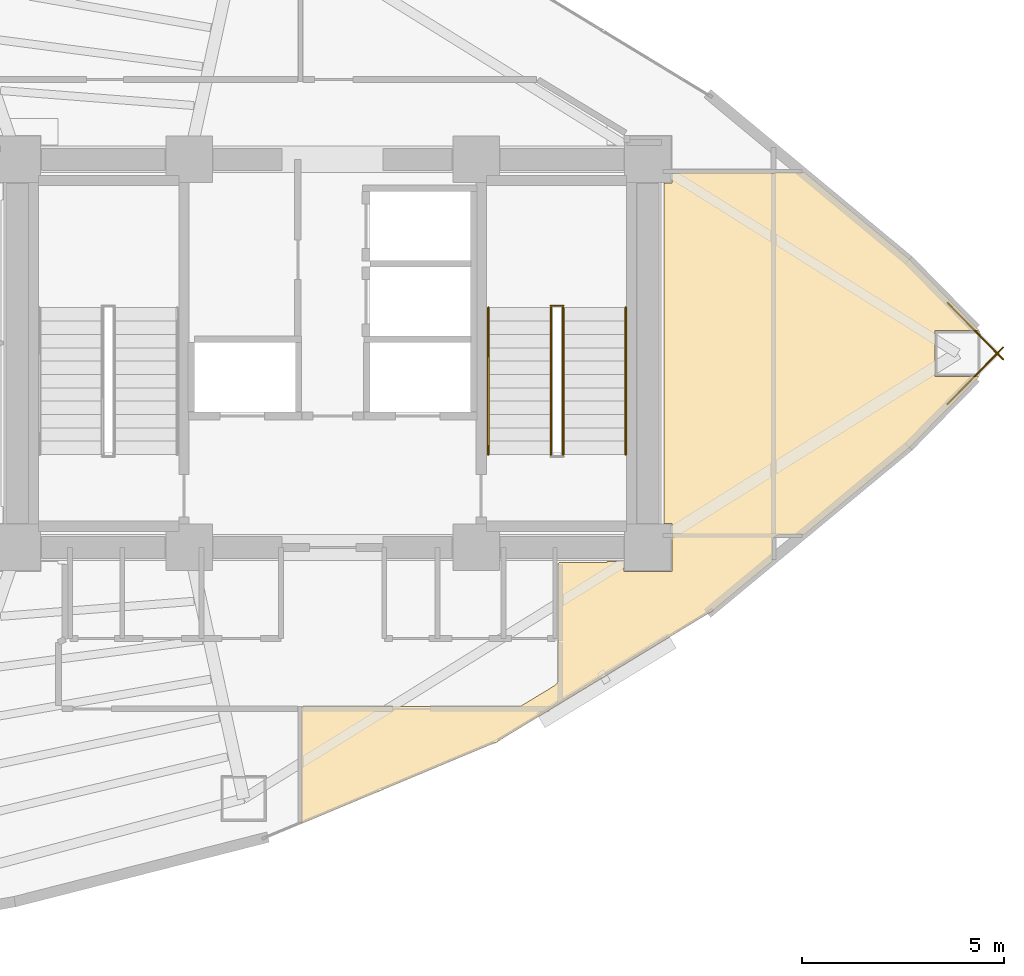
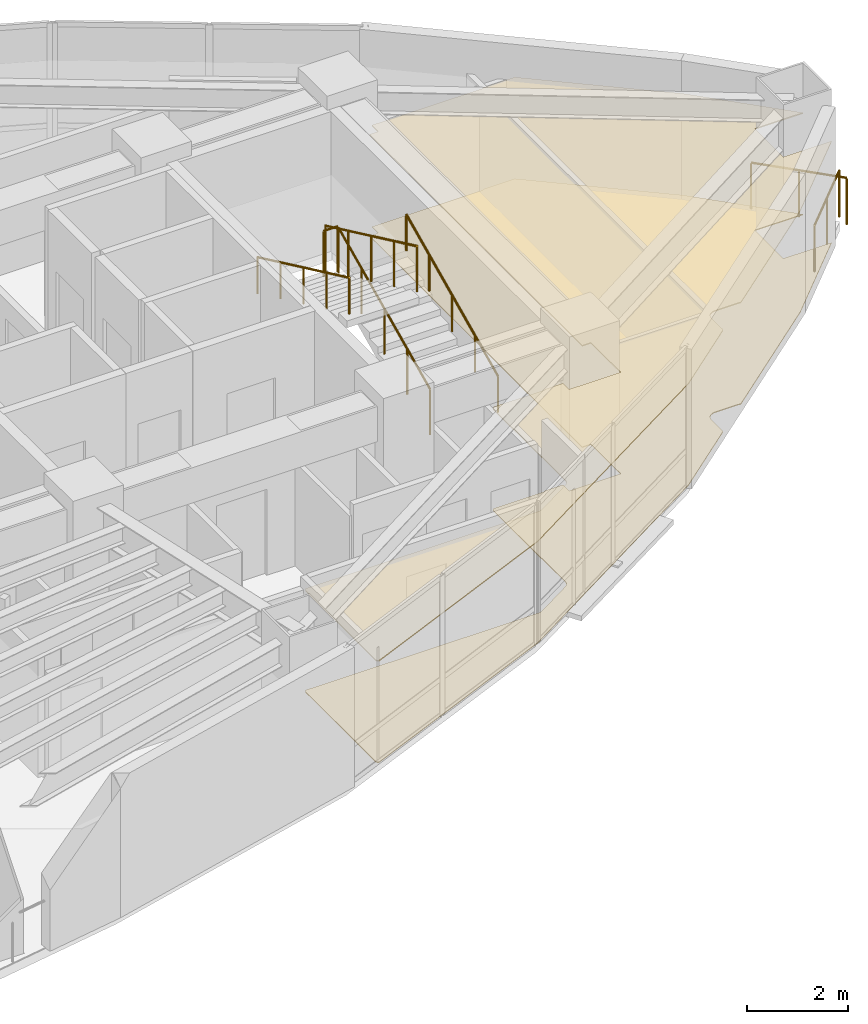
# One storey, part 14 of 15: 7 railings, 2 coverings.
"""IFC4 building model written with IfcOpenShell, lengths in metres."""

from ifc_helpers import new_model, si_unit, direction, frame, origin, origin_2d, place, context, subcontext, project, spatial, polyline, circle, outline, extrude, material, layer, layer_set, type_object, element, save


model = new_model("IFC4")

# Units and contexts
model_context = context("Model", 3, precision=1e-05, world=origin(), true_north=direction((0.0, 1.0)))
body_context = subcontext(model_context, "Body", "Model", "MODEL_VIEW")
ifc_project = project(units=[si_unit("LENGTHUNIT", "METRE"), si_unit("AREAUNIT", "SQUARE_METRE"), si_unit("VOLUMEUNIT", "CUBIC_METRE"), si_unit("PLANEANGLEUNIT", "RADIAN"), si_unit("MASSUNIT", "GRAM", prefix="KILO")], contexts=[model_context])

# Site, building, storey
site_placement = place(None, origin())
site = spatial("IfcSite", under=ifc_project, at=site_placement, CompositionType="ELEMENT")
building_placement = place(site_placement, origin())
building = spatial("IfcBuilding", under=site, at=building_placement, Name="Menara Vayukalpa", CompositionType="ELEMENT")
storey_placement = place(building_placement, frame((0.0, 0.0, 144.89990234375)))
storey = spatial("IfcBuildingStorey", under=building, at=storey_placement, Name="L36", CompositionType="ELEMENT", Elevation=144.89990234375)

# Coverings
ifc_material_1 = material(Name="Mineral Fibre Acoustic Ceiling Tile", Category="masonry")
ifc_layer_1 = layer(ifc_material_1, 0.02490234375)
ifc_layer_set_1 = layer_set([ifc_layer_1], Name="Mineral Fibre Acoustic Ceiling Tile")
covering_type_1 = type_object("IfcCoveringType", Name="COV-CLG1", PredefinedType="CEILING", material=ifc_layer_set_1)
covering_1_placement = place(storey_placement, frame((0.0, 0.0, 2.4501953125)))
element("IfcCovering", 1, at=covering_1_placement, inside=storey, type_object=covering_type_1, Name="L36 Departmental Archive Room Acoustic Ceiling", PredefinedType="CEILING", context=body_context, shape_type="SweptSolid", body=[
    extrude(outline(polyline([(33.7900390625, 26.2099609375), (33.989990234375, 26.2099609375), (33.989990234375, 26.4599609375), (36.425048828125, 26.4599609375), (36.425537109375, 26.4599609375), (36.432373046875, 26.459716796875), (36.43359375, 26.459716796875), (36.439453125, 26.45849609375), (36.458251953125, 26.456787109375), (36.476806640625, 26.456787109375), (36.495361328125, 26.45849609375), (36.513671875, 26.46240234375), (36.531494140625, 26.467529296875), (36.549072265625, 26.474853515625), (36.550537109375, 26.4755859375), (36.55126953125, 26.47607421875), (36.5537109375, 26.476806640625), (36.554443359375, 26.47705078125), (36.55517578125, 26.477294921875), (36.563232421875, 26.47900390625), (36.564208984375, 26.479248046875), (36.5712890625, 26.47998046875), (36.572021484375, 26.47998046875), (36.576904296875, 26.47998046875), (36.5771484375, 26.47998046875), (37.184326171875, 26.47998046875), (37.194580078125, 26.480224609375), (37.197998046875, 26.48046875), (37.218017578125, 26.482421875), (37.220947265625, 26.48291015625), (37.22119140625, 26.483154296875), (37.222900390625, 26.4833984375), (37.222900390625, 26.4833984375), (37.239013671875, 26.486083984375), (37.240478515625, 26.486083984375), (37.244384765625, 26.486083984375), (37.2451171875, 26.486083984375), (37.247314453125, 26.486083984375), (37.248046875, 26.486083984375), (37.248779296875, 26.48583984375), (37.2578125, 26.48388671875), (37.259033203125, 26.483642578125), (37.259521484375, 26.4833984375), (37.26025390625, 26.483154296875), (37.26318359375, 26.48193359375), (37.263916015625, 26.481689453125), (37.264404296875, 26.4814453125), (37.265380859375, 26.48095703125), (37.27685546875, 26.473388671875), (37.278076171875, 26.47265625), (37.280517578125, 26.470703125), (39.86328125, 24.328857421875), (39.86328125, 24.32861328125), (39.86767578125, 24.324951171875), (39.867919921875, 24.32470703125), (39.873046875, 24.31982421875), (39.873291015625, 24.31982421875), (39.8779296875, 24.315185546875), (39.878173828125, 24.31494140625), (41.596435546875, 22.56494140625), (40.494140625, 22.56494140625), (40.494140625, 21.43505859375), (41.596435546875, 21.43505859375), (39.878173828125, 19.68505859375), (39.8779296875, 19.684814453125), (39.873291015625, 19.68017578125), (39.873046875, 19.68017578125), (39.867919921875, 19.67529296875), (39.86767578125, 19.675048828125), (39.86328125, 19.67138671875), (39.86328125, 19.671142578125), (37.280517578125, 17.529296875), (37.277587890625, 17.527099609375), (37.276611328125, 17.5263671875), (37.26611328125, 17.51953125), (37.264892578125, 17.518798828125), (37.262939453125, 17.517822265625), (37.2626953125, 17.517578125), (37.260986328125, 17.51708984375), (37.26025390625, 17.5166015625), (37.25927734375, 17.516357421875), (37.25830078125, 17.51611328125), (37.24951171875, 17.51416015625), (37.248779296875, 17.51416015625), (37.248046875, 17.513916015625), (37.244384765625, 17.513916015625), (37.243896484375, 17.513916015625), (37.2412109375, 17.513916015625), (37.240478515625, 17.513916015625), (37.239501953125, 17.513916015625), (37.224365234375, 17.516357421875), (37.22412109375, 17.516357421875), (37.220947265625, 17.51708984375), (37.218017578125, 17.517578125), (37.197998046875, 17.51953125), (37.194580078125, 17.519775390625), (37.184326171875, 17.52001953125), (36.67041015625, 17.52001953125), (36.6513671875, 17.51904296875), (36.6328125, 17.516357421875), (36.61474609375, 17.51171875), (36.597412109375, 17.505615234375), (36.580322265625, 17.49755859375), (36.564453125, 17.488037109375), (36.549560546875, 17.476806640625), (36.53564453125, 17.46435546875), (36.523193359375, 17.450439453125), (36.511962890625, 17.435546875), (36.50244140625, 17.419677734375), (36.494384765625, 17.402587890625), (36.48828125, 17.38525390625), (36.483642578125, 17.3671875), (36.48095703125, 17.3486328125), (36.47998046875, 17.32958984375), (36.47998046875, 16.9267578125), (36.480224609375, 16.918212890625), (36.48046875, 16.910400390625), (36.481201171875, 16.90087890625), (36.481201171875, 16.8994140625), (36.4814453125, 16.898681640625), (36.481689453125, 16.89208984375), (36.481689453125, 16.89111328125), (36.4814453125, 16.887939453125), (36.4814453125, 16.88671875), (36.47998046875, 16.878173828125), (36.479736328125, 16.877197265625), (36.4794921875, 16.876220703125), (36.477294921875, 16.870361328125), (36.476806640625, 16.869384765625), (36.476318359375, 16.86865234375), (36.475830078125, 16.86767578125), (36.47119140625, 16.860595703125), (36.470703125, 16.85986328125), (36.469970703125, 16.859130859375), (36.462890625, 16.851806640625), (36.46240234375, 16.851318359375), (36.458251953125, 16.84765625), (36.4580078125, 16.847412109375), (34.983642578125, 15.62451171875), (34.9833984375, 15.624267578125), (34.976318359375, 15.618896484375), (34.97607421875, 15.61865234375), (34.967529296875, 15.61279296875), (34.96728515625, 15.61279296875), (34.9599609375, 15.60791015625), (34.959716796875, 15.607666015625), (29.658203125, 12.386962890625), (29.65771484375, 12.38671875), (29.654541015625, 12.385009765625), (29.654296875, 12.384765625), (29.646484375, 12.380615234375), (29.64599609375, 12.380615234375), (29.641845703125, 12.378662109375), (29.6416015625, 12.37841796875), (24.896484375, 10.3935546875), (24.896240234375, 10.3935546875), (24.889892578125, 10.39111328125), (24.88916015625, 10.390869140625), (24.884033203125, 10.389404296875), (24.88330078125, 10.38916015625), (24.87841796875, 10.387939453125), (24.87744140625, 10.387939453125), (24.873291015625, 10.387451171875), (24.872314453125, 10.38720703125), (24.867919921875, 10.38720703125), (24.86669921875, 10.387451171875), (24.86328125, 10.3876953125), (24.8623046875, 10.387939453125), (24.85791015625, 10.388916015625), (24.857177734375, 10.388916015625), (24.856201171875, 10.389404296875), (24.8466796875, 10.393310546875), (24.845703125, 10.393798828125), (24.84423828125, 10.39453125), (24.843505859375, 10.39501953125), (24.843017578125, 10.3955078125), (24.837646484375, 10.3994140625), (24.836669921875, 10.400146484375), (24.835205078125, 10.401611328125), (24.834716796875, 10.40234375), (24.82861328125, 10.409912109375), (24.827880859375, 10.41064453125), (24.827392578125, 10.41162109375), (24.825439453125, 10.415283203125), (24.824951171875, 10.416015625), (24.823486328125, 10.419921875), (24.822998046875, 10.4208984375), (24.82275390625, 10.421875), (24.82275390625, 10.42236328125), (24.821044921875, 10.429931640625), (24.82080078125, 10.43115234375), (24.820068359375, 10.43798828125), (24.820068359375, 10.43896484375), (24.820068359375, 10.443603515625), (24.820068359375, 10.44384765625), (24.820068359375, 13.202880859375), (24.820068359375, 13.203125), (24.820068359375, 13.2080078125), (24.820068359375, 13.208740234375), (24.82080078125, 13.216064453125), (24.821044921875, 13.217041015625), (24.822509765625, 13.22412109375), (24.822998046875, 13.22509765625), (24.82421875, 13.22900390625), (24.824462890625, 13.229736328125), (24.82568359375, 13.232666015625), (24.826416015625, 13.23388671875), (24.830078125, 13.239501953125), (24.830810546875, 13.240234375), (24.831298828125, 13.240966796875), (24.8388671875, 13.248291015625), (24.839599609375, 13.2490234375), (24.84033203125, 13.24951171875), (24.845458984375, 13.253173828125), (24.84619140625, 13.25341796875), (24.8466796875, 13.25390625), (24.850830078125, 13.255615234375), (24.8515625, 13.256103515625), (24.853515625, 13.2568359375), (24.8544921875, 13.257080078125), (24.85498046875, 13.25732421875), (24.86328125, 13.259033203125), (24.8642578125, 13.25927734375), (24.871337890625, 13.260009765625), (24.8720703125, 13.260009765625), (24.876953125, 13.260009765625), (24.877197265625, 13.260009765625), (30.17529296875, 13.260009765625), (30.192626953125, 13.2607421875), (30.209716796875, 13.26318359375), (30.2265625, 13.26708984375), (30.242919921875, 13.2724609375), (30.2587890625, 13.279296875), (30.274169921875, 13.287841796875), (31.08837890625, 13.7822265625), (31.104736328125, 13.79345703125), (31.11962890625, 13.805908203125), (31.13330078125, 13.81982421875), (31.145263671875, 13.835205078125), (31.155517578125, 13.8515625), (31.164306640625, 13.869140625), (31.171142578125, 13.88720703125), (31.176025390625, 13.90625), (31.178955078125, 13.92529296875), (31.179931640625, 13.945068359375), (31.179931640625, 14.818603515625), (31.1796875, 14.82666015625), (31.1796875, 14.82861328125), (31.178466796875, 14.844482421875), (31.17578125, 14.8603515625), (31.175537109375, 14.861572265625), (31.175537109375, 14.861572265625), (31.17333984375, 14.870849609375), (31.1728515625, 14.873046875), (31.172607421875, 14.873291015625), (31.171142578125, 14.88037109375), (31.171142578125, 14.88134765625), (31.170166015625, 14.89013671875), (31.170166015625, 14.89111328125), (31.169921875, 14.8955078125), (31.169921875, 14.895751953125), (31.169921875, 16.77294921875), (31.169921875, 16.773193359375), (31.170166015625, 16.77783203125), (31.170166015625, 16.77880859375), (31.1708984375, 16.785888671875), (31.1708984375, 16.787109375), (31.172607421875, 16.7939453125), (31.1728515625, 16.795166015625), (31.17431640625, 16.798828125), (31.174560546875, 16.7998046875), (31.17578125, 16.802490234375), (31.176513671875, 16.803955078125), (31.18017578125, 16.809326171875), (31.1806640625, 16.810302734375), (31.181396484375, 16.81103515625), (31.188720703125, 16.818359375), (31.189453125, 16.819091796875), (31.190185546875, 16.819580078125), (31.195556640625, 16.822998046875), (31.196044921875, 16.823486328125), (31.19677734375, 16.82373046875), (31.20068359375, 16.82568359375), (31.201416015625, 16.825927734375), (31.20361328125, 16.826904296875), (31.204345703125, 16.8271484375), (31.205078125, 16.827392578125), (31.213134765625, 16.8291015625), (31.21435546875, 16.8291015625), (31.22119140625, 16.829833984375), (31.22216796875, 16.829833984375), (31.226806640625, 16.830078125), (31.22705078125, 16.830078125), (32.389892578125, 16.830078125), (32.389892578125, 16.85009765625), (32.81005859375, 16.85009765625), (32.81005859375, 16.610107421875), (33.989990234375, 16.610107421875), (33.989990234375, 17.7900390625), (33.7900390625, 17.7900390625), (33.7900390625, 26.2099609375)])), origin(), (0.0, 0.0, 1.0), 0.02490234375),
])
ifc_material_2 = material(Name="Porcelain Stoneware Floor Tile", Category="masonry")
ifc_layer_2 = layer(ifc_material_2, 0.02001953125)
ifc_layer_set_2 = layer_set([ifc_layer_2], Name="Porcelain Stoneware Floor Tile")
covering_type_2 = type_object("IfcCoveringType", Name="COV-FLR1", PredefinedType="FLOORING", material=ifc_layer_set_2)
covering_2_placement = place(storey_placement, origin())
element("IfcCovering", 2, at=covering_2_placement, inside=storey, type_object=covering_type_2, Name="L36 Departmental Archive Room Porcelain Flooring", PredefinedType="FLOORING", context=body_context, shape_type="SweptSolid", body=[
    extrude(outline(polyline([(33.7900390625, 26.2099609375), (33.989990234375, 26.2099609375), (33.989990234375, 26.4599609375), (36.425048828125, 26.4599609375), (36.425537109375, 26.4599609375), (36.432373046875, 26.459716796875), (36.43359375, 26.459716796875), (36.439453125, 26.45849609375), (36.458251953125, 26.456787109375), (36.476806640625, 26.456787109375), (36.495361328125, 26.45849609375), (36.513671875, 26.46240234375), (36.531494140625, 26.467529296875), (36.549072265625, 26.474853515625), (36.550537109375, 26.4755859375), (36.55126953125, 26.47607421875), (36.5537109375, 26.476806640625), (36.554443359375, 26.47705078125), (36.55517578125, 26.477294921875), (36.563232421875, 26.47900390625), (36.564208984375, 26.479248046875), (36.5712890625, 26.47998046875), (36.572021484375, 26.47998046875), (36.576904296875, 26.47998046875), (36.5771484375, 26.47998046875), (37.184326171875, 26.47998046875), (37.194580078125, 26.480224609375), (37.197998046875, 26.48046875), (37.218017578125, 26.482421875), (37.220947265625, 26.48291015625), (37.22119140625, 26.483154296875), (37.222900390625, 26.4833984375), (37.222900390625, 26.4833984375), (37.239013671875, 26.486083984375), (37.240478515625, 26.486083984375), (37.244384765625, 26.486083984375), (37.2451171875, 26.486083984375), (37.247314453125, 26.486083984375), (37.248046875, 26.486083984375), (37.248779296875, 26.48583984375), (37.2578125, 26.48388671875), (37.259033203125, 26.483642578125), (37.259521484375, 26.4833984375), (37.26025390625, 26.483154296875), (37.26318359375, 26.48193359375), (37.263916015625, 26.481689453125), (37.264404296875, 26.4814453125), (37.265380859375, 26.48095703125), (37.27685546875, 26.473388671875), (37.278076171875, 26.47265625), (37.280517578125, 26.470703125), (39.86328125, 24.328857421875), (39.86328125, 24.32861328125), (39.86767578125, 24.324951171875), (39.867919921875, 24.32470703125), (39.873046875, 24.31982421875), (39.873291015625, 24.31982421875), (39.8779296875, 24.315185546875), (39.878173828125, 24.31494140625), (41.596435546875, 22.56494140625), (40.494140625, 22.56494140625), (40.494140625, 21.43505859375), (41.596435546875, 21.43505859375), (39.878173828125, 19.68505859375), (39.8779296875, 19.684814453125), (39.873291015625, 19.68017578125), (39.873046875, 19.68017578125), (39.867919921875, 19.67529296875), (39.86767578125, 19.675048828125), (39.86328125, 19.67138671875), (39.86328125, 19.671142578125), (37.280517578125, 17.529296875), (37.277587890625, 17.527099609375), (37.276611328125, 17.5263671875), (37.26611328125, 17.51953125), (37.264892578125, 17.518798828125), (37.262939453125, 17.517822265625), (37.2626953125, 17.517578125), (37.260986328125, 17.51708984375), (37.26025390625, 17.5166015625), (37.25927734375, 17.516357421875), (37.25830078125, 17.51611328125), (37.24951171875, 17.51416015625), (37.248779296875, 17.51416015625), (37.248046875, 17.513916015625), (37.244384765625, 17.513916015625), (37.243896484375, 17.513916015625), (37.2412109375, 17.513916015625), (37.240478515625, 17.513916015625), (37.239501953125, 17.513916015625), (37.224365234375, 17.516357421875), (37.22412109375, 17.516357421875), (37.220947265625, 17.51708984375), (37.218017578125, 17.517578125), (37.197998046875, 17.51953125), (37.194580078125, 17.519775390625), (37.184326171875, 17.52001953125), (36.67041015625, 17.52001953125), (36.6513671875, 17.51904296875), (36.6328125, 17.516357421875), (36.61474609375, 17.51171875), (36.597412109375, 17.505615234375), (36.580322265625, 17.49755859375), (36.564453125, 17.488037109375), (36.549560546875, 17.476806640625), (36.53564453125, 17.46435546875), (36.523193359375, 17.450439453125), (36.511962890625, 17.435546875), (36.50244140625, 17.419677734375), (36.494384765625, 17.402587890625), (36.48828125, 17.38525390625), (36.483642578125, 17.3671875), (36.48095703125, 17.3486328125), (36.47998046875, 17.32958984375), (36.47998046875, 16.9267578125), (36.480224609375, 16.918212890625), (36.48046875, 16.910400390625), (36.481201171875, 16.90087890625), (36.481201171875, 16.8994140625), (36.4814453125, 16.898681640625), (36.481689453125, 16.89208984375), (36.481689453125, 16.89111328125), (36.4814453125, 16.887939453125), (36.4814453125, 16.88671875), (36.47998046875, 16.878173828125), (36.479736328125, 16.877197265625), (36.4794921875, 16.876220703125), (36.477294921875, 16.870361328125), (36.476806640625, 16.869384765625), (36.476318359375, 16.86865234375), (36.475830078125, 16.86767578125), (36.47119140625, 16.860595703125), (36.470703125, 16.85986328125), (36.469970703125, 16.859130859375), (36.462890625, 16.851806640625), (36.46240234375, 16.851318359375), (36.458251953125, 16.84765625), (36.4580078125, 16.847412109375), (34.983642578125, 15.62451171875), (34.9833984375, 15.624267578125), (34.976318359375, 15.618896484375), (34.97607421875, 15.61865234375), (34.967529296875, 15.61279296875), (34.96728515625, 15.61279296875), (34.9599609375, 15.60791015625), (34.959716796875, 15.607666015625), (29.658203125, 12.386962890625), (29.65771484375, 12.38671875), (29.654541015625, 12.385009765625), (29.654296875, 12.384765625), (29.646484375, 12.380615234375), (29.64599609375, 12.380615234375), (29.641845703125, 12.378662109375), (29.6416015625, 12.37841796875), (24.896484375, 10.3935546875), (24.896240234375, 10.3935546875), (24.889892578125, 10.39111328125), (24.88916015625, 10.390869140625), (24.884033203125, 10.389404296875), (24.88330078125, 10.38916015625), (24.87841796875, 10.387939453125), (24.87744140625, 10.387939453125), (24.873291015625, 10.387451171875), (24.872314453125, 10.38720703125), (24.867919921875, 10.38720703125), (24.86669921875, 10.387451171875), (24.86328125, 10.3876953125), (24.8623046875, 10.387939453125), (24.85791015625, 10.388916015625), (24.857177734375, 10.388916015625), (24.856201171875, 10.389404296875), (24.8466796875, 10.393310546875), (24.845703125, 10.393798828125), (24.84423828125, 10.39453125), (24.843505859375, 10.39501953125), (24.843017578125, 10.3955078125), (24.837646484375, 10.3994140625), (24.836669921875, 10.400146484375), (24.835205078125, 10.401611328125), (24.834716796875, 10.40234375), (24.82861328125, 10.409912109375), (24.827880859375, 10.41064453125), (24.827392578125, 10.41162109375), (24.825439453125, 10.415283203125), (24.824951171875, 10.416015625), (24.823486328125, 10.419921875), (24.822998046875, 10.4208984375), (24.82275390625, 10.421875), (24.82275390625, 10.42236328125), (24.821044921875, 10.429931640625), (24.82080078125, 10.43115234375), (24.820068359375, 10.43798828125), (24.820068359375, 10.43896484375), (24.820068359375, 10.443603515625), (24.820068359375, 10.44384765625), (24.820068359375, 13.202880859375), (24.820068359375, 13.203125), (24.820068359375, 13.2080078125), (24.820068359375, 13.208740234375), (24.82080078125, 13.216064453125), (24.821044921875, 13.217041015625), (24.822509765625, 13.22412109375), (24.822998046875, 13.22509765625), (24.82421875, 13.22900390625), (24.824462890625, 13.229736328125), (24.82568359375, 13.232666015625), (24.826416015625, 13.23388671875), (24.830078125, 13.239501953125), (24.830810546875, 13.240234375), (24.831298828125, 13.240966796875), (24.8388671875, 13.248291015625), (24.839599609375, 13.2490234375), (24.84033203125, 13.24951171875), (24.845458984375, 13.253173828125), (24.84619140625, 13.25341796875), (24.8466796875, 13.25390625), (24.850830078125, 13.255615234375), (24.8515625, 13.256103515625), (24.853515625, 13.2568359375), (24.8544921875, 13.257080078125), (24.85498046875, 13.25732421875), (24.86328125, 13.259033203125), (24.8642578125, 13.25927734375), (24.871337890625, 13.260009765625), (24.8720703125, 13.260009765625), (24.876953125, 13.260009765625), (24.877197265625, 13.260009765625), (30.17529296875, 13.260009765625), (30.192626953125, 13.2607421875), (30.209716796875, 13.26318359375), (30.2265625, 13.26708984375), (30.242919921875, 13.2724609375), (30.2587890625, 13.279296875), (30.274169921875, 13.287841796875), (31.08837890625, 13.7822265625), (31.104736328125, 13.79345703125), (31.11962890625, 13.805908203125), (31.13330078125, 13.81982421875), (31.145263671875, 13.835205078125), (31.155517578125, 13.8515625), (31.164306640625, 13.869140625), (31.171142578125, 13.88720703125), (31.176025390625, 13.90625), (31.178955078125, 13.92529296875), (31.179931640625, 13.945068359375), (31.179931640625, 14.818603515625), (31.1796875, 14.82666015625), (31.1796875, 14.82861328125), (31.178466796875, 14.844482421875), (31.17578125, 14.8603515625), (31.175537109375, 14.861572265625), (31.175537109375, 14.861572265625), (31.17333984375, 14.870849609375), (31.1728515625, 14.873046875), (31.172607421875, 14.873291015625), (31.171142578125, 14.88037109375), (31.171142578125, 14.88134765625), (31.170166015625, 14.89013671875), (31.170166015625, 14.89111328125), (31.169921875, 14.8955078125), (31.169921875, 14.895751953125), (31.169921875, 16.77294921875), (31.169921875, 16.773193359375), (31.170166015625, 16.77783203125), (31.170166015625, 16.77880859375), (31.1708984375, 16.785888671875), (31.1708984375, 16.787109375), (31.172607421875, 16.7939453125), (31.1728515625, 16.795166015625), (31.17431640625, 16.798828125), (31.174560546875, 16.7998046875), (31.17578125, 16.802490234375), (31.176513671875, 16.803955078125), (31.18017578125, 16.809326171875), (31.1806640625, 16.810302734375), (31.181396484375, 16.81103515625), (31.188720703125, 16.818359375), (31.189453125, 16.819091796875), (31.190185546875, 16.819580078125), (31.195556640625, 16.822998046875), (31.196044921875, 16.823486328125), (31.19677734375, 16.82373046875), (31.20068359375, 16.82568359375), (31.201416015625, 16.825927734375), (31.20361328125, 16.826904296875), (31.204345703125, 16.8271484375), (31.205078125, 16.827392578125), (31.213134765625, 16.8291015625), (31.21435546875, 16.8291015625), (31.22119140625, 16.829833984375), (31.22216796875, 16.829833984375), (31.226806640625, 16.830078125), (31.22705078125, 16.830078125), (32.389892578125, 16.830078125), (32.389892578125, 16.85009765625), (32.81005859375, 16.85009765625), (32.81005859375, 16.610107421875), (33.989990234375, 16.610107421875), (33.989990234375, 17.7900390625), (33.7900390625, 17.7900390625), (33.7900390625, 26.2099609375)])), origin(), (0.0, 0.0, 1.0), 0.02001953125),
])

# Railings
ifc_material_3 = material(Name="Laminated Glass and Stainless Steel 316 Guardrail", Category="steel")
railing_type_1 = type_object("IfcRailingType", Name="RLG-EXT115", PredefinedType="GUARDRAIL", material=ifc_material_3)
railing_1_placement = place(storey_placement, frame((40.808349609375, 20.74658203125, 0.0)))
element("IfcRailing", 3, at=railing_1_placement, inside=storey, type_object=railing_type_1, Name="L36 Column Corner Spandrel Guardrail 01-1", PredefinedType="GUARDRAIL", context=body_context, shape_type="SweptSolid", body=[
    extrude(circle(Radius=0.02392578125, at=origin_2d()), frame((0.0, 0.0, 1.1259765625), z_axis=(0.700618824862, 0.713535747001, 0.0), x_axis=(-0.713535747001, 0.700618824862, 0.0)), (0.0, 0.0, 1.0), 1.965576171875),
    extrude(circle(Radius=0.02099609375, at=origin_2d()), origin(), (0.0, 0.0, 1.0), 1.101806640625),
    extrude(circle(Radius=0.02099609375, at=origin_2d()), frame((0.6884765625, 0.701171875, 0.0)), (0.0, 0.0, 1.0), 1.101806640625),
    extrude(circle(Radius=0.02099609375, at=origin_2d()), frame((1.377197265625, 1.402587890625, 0.0)), (0.0, 0.0, 1.0), 1.101806640625),
])
railing_2_placement = place(storey_placement, frame((42.185546875, 21.850830078125, 0.0)))
element("IfcRailing", 4, at=railing_2_placement, inside=storey, type_object=railing_type_1, Name="L36 Column Corner Spandrel Guardrail 02-1", PredefinedType="GUARDRAIL", context=body_context, shape_type="SweptSolid", body=[
    extrude(circle(Radius=0.02392578125, at=origin_2d()), frame((0.0, 0.0, 1.1259765625), z_axis=(-0.700618824862, 0.713535747001, 0.0), x_axis=(-0.713535747001, -0.700618824862, 0.0)), (0.0, 0.0, 1.0), 1.965576171875),
    extrude(circle(Radius=0.02099609375, at=origin_2d()), origin(), (0.0, 0.0, 1.0), 1.101806640625),
    extrude(circle(Radius=0.02099609375, at=origin_2d()), frame((-0.6884765625, 0.701171875, 0.0)), (0.0, 0.0, 1.0), 1.101806640625),
    extrude(circle(Radius=0.02099609375, at=origin_2d()), frame((-1.377197265625, 1.402587890625, 0.0)), (0.0, 0.0, 1.0), 1.101806640625),
])
ifc_material_4 = material(Name="Powder-Coated Galvanised Steel Guardrail", Category="steel")
railing_type_2 = type_object("IfcRailingType", Name="RLG-STG110", PredefinedType="GUARDRAIL", material=ifc_material_4)
railing_3_placement = place(storey_placement, frame((31.300048828125, 19.5, 0.155029296875)))
element("IfcRailing", 5, at=railing_3_placement, inside=storey, type_object=railing_type_2, Name="L36 ST-2 stair guard 1", PredefinedType="GUARDRAIL", context=body_context, shape_type="SweptSolid", body=[
    extrude(circle(Radius=0.02392578125, at=origin_2d()), frame((0.0, 0.0, 1.09619140625), z_axis=(0.0, 0.90511648382, 0.425163675209), x_axis=(-1.0, 0.0, 0.0)), (0.0, 0.0, 1.0), 4.010498046875),
    extrude(circle(Radius=0.02099609375, at=origin_2d()), origin(), (0.0, 0.0, 1.0), 1.072021484375),
    extrude(circle(Radius=0.02099609375, at=origin_2d()), frame((0.0, 0.907470703125, 0.42626953125)), (0.0, 0.0, 1.0), 1.072021484375),
    extrude(circle(Radius=0.02099609375, at=origin_2d()), frame((0.0, 1.81494140625, 0.8525390625)), (0.0, 0.0, 1.0), 1.072021484375),
    extrude(circle(Radius=0.02099609375, at=origin_2d()), frame((0.0, 2.722412109375, 1.27880859375)), (0.0, 0.0, 1.0), 1.072021484375),
    extrude(circle(Radius=0.02099609375, at=origin_2d()), frame((0.0, 3.6298828125, 1.705078125)), (0.0, 0.0, 1.0), 1.072021484375),
])
railing_4_placement = place(storey_placement, frame((31.31005859375, 23.179931640625, 1.860107421875)))
element("IfcRailing", 6, at=railing_4_placement, inside=storey, type_object=railing_type_2, Name="L36 ST-2 stair guard 2", PredefinedType="GUARDRAIL", context=body_context, shape_type="SweptSolid", body=[
    extrude(circle(Radius=0.02392578125, at=origin_2d()), frame((0.0, 0.0, 1.09619140625), z_axis=(-1.0, 0.0, 0.0), x_axis=(0.0, -1.0, 0.0)), (0.0, 0.0, 1.0), 0.320068359375),
    extrude(circle(Radius=0.02099609375, at=origin_2d()), origin(), (0.0, 0.0, 1.0), 1.072021484375),
    extrude(circle(Radius=0.02099609375, at=origin_2d()), frame((-0.320068359375, 0.0, 0.0)), (0.0, 0.0, 1.0), 1.072021484375),
])
railing_5_placement = place(storey_placement, frame((31.0, 23.1298828125, 2.01513671875)))
element("IfcRailing", 7, at=railing_5_placement, inside=storey, type_object=railing_type_2, Name="L36 ST-2 stair guard 3", PredefinedType="GUARDRAIL", context=body_context, shape_type="SweptSolid", body=[
    extrude(circle(Radius=0.02392578125, at=origin_2d()), frame((0.0, 0.0, 1.09619140625), z_axis=(0.0, -0.90511648382, 0.425163675209), x_axis=(1.0, 0.0, 0.0)), (0.0, 0.0, 1.0), 4.010498046875),
    extrude(circle(Radius=0.02099609375, at=origin_2d()), origin(), (0.0, 0.0, 1.0), 1.072021484375),
    extrude(circle(Radius=0.02099609375, at=origin_2d()), frame((0.0, -0.907470703125, 0.42626953125)), (0.0, 0.0, 1.0), 1.072021484375),
    extrude(circle(Radius=0.02099609375, at=origin_2d()), frame((0.0, -1.81494140625, 0.8525390625)), (0.0, 0.0, 1.0), 1.072021484375),
    extrude(circle(Radius=0.02099609375, at=origin_2d()), frame((0.0, -2.722412109375, 1.27880859375)), (0.0, 0.0, 1.0), 1.072021484375),
    extrude(circle(Radius=0.02099609375, at=origin_2d()), frame((0.0, -3.6298828125, 1.705078125)), (0.0, 0.0, 1.0), 1.072021484375),
])
ifc_material_5 = material(Name="Stainless Steel 316 Tubular Handrail", Category="steel")
railing_type_3 = type_object("IfcRailingType", Name="RLG-STH090", PredefinedType="HANDRAIL", material=ifc_material_5)
railing_6_placement = place(storey_placement, frame((32.85009765625, 19.5, 0.155029296875)))
element("IfcRailing", 8, at=railing_6_placement, inside=storey, type_object=railing_type_3, Name="L36 ST-2 stair handrail 1", PredefinedType="HANDRAIL", context=body_context, shape_type="SweptSolid", body=[
    extrude(circle(Radius=0.02392578125, at=origin_2d()), frame((0.0, 0.0, 0.8759765625), z_axis=(0.0, 0.90511648382, 0.425163675209), x_axis=(-1.0, 0.0, 0.0)), (0.0, 0.0, 1.0), 4.010498046875),
    extrude(circle(Radius=0.02099609375, at=origin_2d()), origin(), (0.0, 0.0, 1.0), 0.851806640625),
    extrude(circle(Radius=0.02099609375, at=origin_2d()), frame((0.0, 0.907470703125, 0.42626953125)), (0.0, 0.0, 1.0), 0.851806640625),
    extrude(circle(Radius=0.02099609375, at=origin_2d()), frame((0.0, 1.81494140625, 0.8525390625)), (0.0, 0.0, 1.0), 0.851806640625),
    extrude(circle(Radius=0.02099609375, at=origin_2d()), frame((0.0, 2.722412109375, 1.27880859375)), (0.0, 0.0, 1.0), 0.851806640625),
    extrude(circle(Radius=0.02099609375, at=origin_2d()), frame((0.0, 3.6298828125, 1.705078125)), (0.0, 0.0, 1.0), 0.851806640625),
])
railing_7_placement = place(storey_placement, frame((29.449951171875, 23.1298828125, 2.01513671875)))
element("IfcRailing", 9, at=railing_7_placement, inside=storey, type_object=railing_type_3, Name="L36 ST-2 stair handrail 2", PredefinedType="HANDRAIL", context=body_context, shape_type="SweptSolid", body=[
    extrude(circle(Radius=0.02392578125, at=origin_2d()), frame((0.0, 0.0, 0.8759765625), z_axis=(0.0, -0.90511648382, 0.425163675209), x_axis=(1.0, 0.0, 0.0)), (0.0, 0.0, 1.0), 4.010498046875),
    extrude(circle(Radius=0.02099609375, at=origin_2d()), origin(), (0.0, 0.0, 1.0), 0.851806640625),
    extrude(circle(Radius=0.02099609375, at=origin_2d()), frame((0.0, -0.907470703125, 0.42626953125)), (0.0, 0.0, 1.0), 0.851806640625),
    extrude(circle(Radius=0.02099609375, at=origin_2d()), frame((0.0, -1.81494140625, 0.8525390625)), (0.0, 0.0, 1.0), 0.851806640625),
    extrude(circle(Radius=0.02099609375, at=origin_2d()), frame((0.0, -2.722412109375, 1.27880859375)), (0.0, 0.0, 1.0), 0.851806640625),
    extrude(circle(Radius=0.02099609375, at=origin_2d()), frame((0.0, -3.6298828125, 1.705078125)), (0.0, 0.0, 1.0), 0.851806640625),
])

save(model, "model.ifc")
